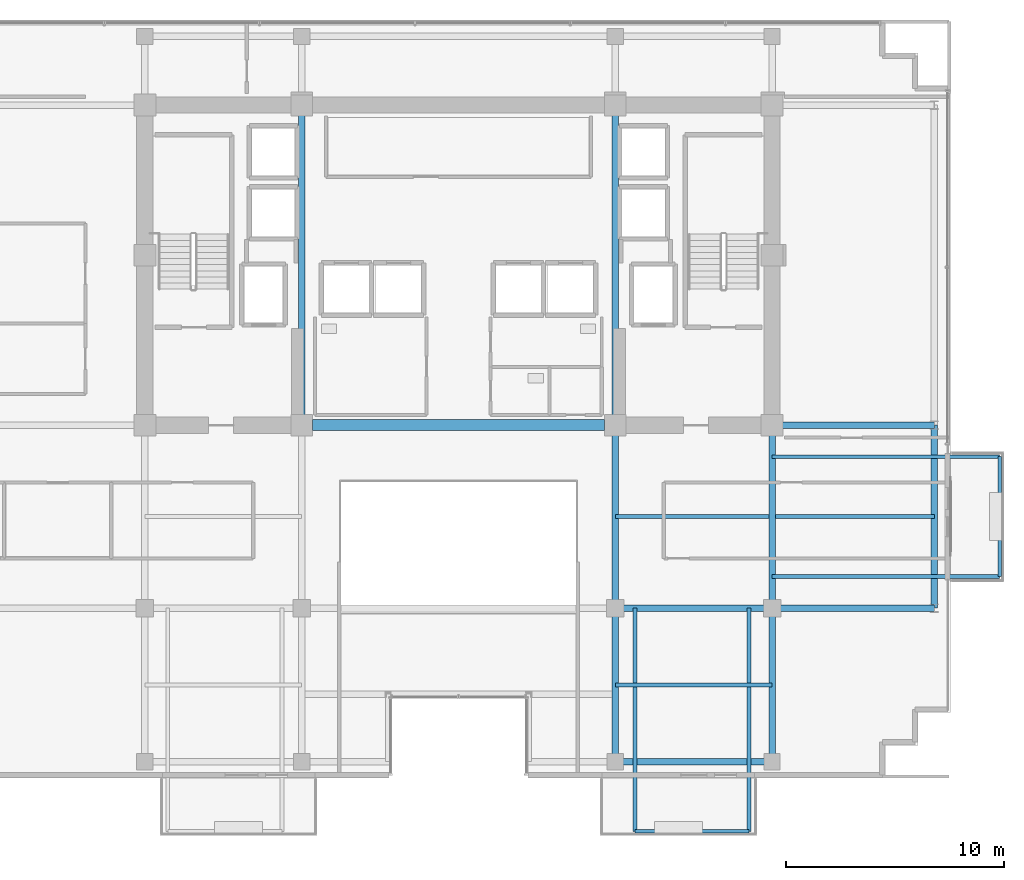
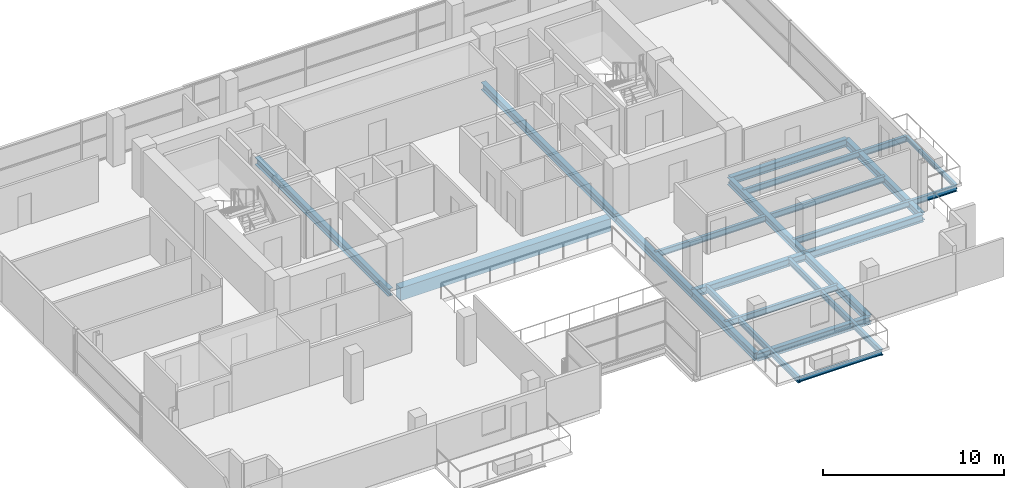
# One storey, part 11 of 25: 21 beams.
"""IFC4 building model written with IfcOpenShell, lengths in metres."""

from ifc_helpers import new_model, si_unit, direction, frame, origin, origin_2d, place, context, subcontext, project, spatial, rectangle, i_section, extrude, material, material_profile, profile_set, type_object, element, save


model = new_model("IFC4")

# Units and contexts
model_context = context("Model", 3, precision=1e-05, world=origin(), true_north=direction((0.0, 1.0)))
body_context = subcontext(model_context, "Body", "Model", "MODEL_VIEW")
ifc_project = project(units=[si_unit("LENGTHUNIT", "METRE"), si_unit("AREAUNIT", "SQUARE_METRE"), si_unit("VOLUMEUNIT", "CUBIC_METRE"), si_unit("PLANEANGLEUNIT", "RADIAN"), si_unit("MASSUNIT", "GRAM", prefix="KILO")], contexts=[model_context])

# Site, building, storey
site_placement = place(None, origin())
site = spatial("IfcSite", under=ifc_project, at=site_placement, CompositionType="ELEMENT")
building_placement = place(site_placement, origin())
building = spatial("IfcBuilding", under=site, at=building_placement, Name="Zarnakvel Exchange Tower", CompositionType="ELEMENT")
storey_placement = place(building_placement, frame((0.0, 0.0, 169.300048828125)))
storey = spatial("IfcBuildingStorey", under=building, at=storey_placement, Name="L47", CompositionType="ELEMENT", Elevation=169.300048828125)

# Beams
ifc_material_1 = material(Name="Steel S355", Category="steel")
ifc_material_profile_1 = material_profile(ifc_material_1, i_section(OverallWidth=0.179931640625, OverallDepth=0.39990234375, WebThickness=0.008544921875, FlangeThickness=0.013427734375, FilletRadius=0.02099609375, at=origin_2d()))
ifc_profile_set_1 = profile_set([ifc_material_profile_1], Name="Steel S355")
beam_type_1 = type_object("IfcBeamType", Name="B-06", PredefinedType="JOIST", material=ifc_profile_set_1)
beam_1_placement = place(storey_placement, frame((7.199951171875, -13.125, -0.425048828125), z_axis=(1.0, 0.0, 0.0), x_axis=(0.0, 1.0, 0.0)))
element("IfcBeam", 1, at=beam_1_placement, inside=storey, type_object=beam_type_1, Name="L47 Composite Floor Secondary Joist", PredefinedType="JOIST", context=body_context, shape_type="SweptSolid", body=[
    extrude(i_section(OverallWidth=0.179931640625, OverallDepth=0.39990234375, WebThickness=0.008544921875, FlangeThickness=0.013427734375, FilletRadius=0.02099609375, at=origin_2d()), origin(), (0.0, 0.0, 1.0), 7.199951171875),
])
beam_2_placement = place(storey_placement, frame((7.199951171875, -5.39990234375, -0.425048828125), z_axis=(1.0, 0.0, 0.0), x_axis=(0.0, 1.0, 0.0)))
element("IfcBeam", 2, at=beam_2_placement, inside=storey, type_object=beam_type_1, Name="L47 Composite Floor Secondary Joist", PredefinedType="JOIST", context=body_context, shape_type="SweptSolid", body=[
    extrude(i_section(OverallWidth=0.179931640625, OverallDepth=0.39990234375, WebThickness=0.008544921875, FlangeThickness=0.013427734375, FilletRadius=0.02099609375, at=origin_2d()), origin(), (0.0, 0.0, 1.0), 7.050048828125),
])
beam_3_placement = place(storey_placement, frame((14.550048828125, -5.39990234375, -0.425048828125), z_axis=(1.0, 0.0, 0.0), x_axis=(0.0, 1.0, 0.0)))
element("IfcBeam", 3, at=beam_3_placement, inside=storey, type_object=beam_type_1, Name="L47 Composite Floor Secondary Joist", PredefinedType="JOIST", context=body_context, shape_type="SweptSolid", body=[
    extrude(i_section(OverallWidth=0.179931640625, OverallDepth=0.39990234375, WebThickness=0.008544921875, FlangeThickness=0.013427734375, FilletRadius=0.02099609375, at=origin_2d()), origin(), (0.0, 0.0, 1.0), 7.300048828125),
])
for number, where, z_axis, x_axis, name in (
    (4, (8.10009765625, -9.60009765625, -0.425048828125), (0.0, -1.0, 0.0), (1.0, 0.0, 0.0), "L47 Continuous Back-Spanned Balcony Beam W"),
    (5, (13.35009765625, -9.60009765625, -0.425048828125), (0.0, -1.0, 0.0), (1.0, 0.0, 0.0), "L47 Continuous Back-Spanned Balcony Beam E"),
):
    element("IfcBeam", number, at=place(storey_placement, frame(where, z_axis=z_axis, x_axis=x_axis)), inside=storey, type_object=beam_type_1, Name=name, PredefinedType="JOIST", context=body_context, shape_type="SweptSolid", body=[
        extrude(i_section(OverallWidth=0.179931640625, OverallDepth=0.39990234375, WebThickness=0.008544921875, FlangeThickness=0.013427734375, FilletRadius=0.02099609375, at=origin_2d()), origin(), (0.0, 0.0, 1.0), 10.25),
    ])
for number, where, z_axis, x_axis, name in (
    (6, (14.39990234375, -8.14990234375, -0.425048828125), (1.0, 0.0, 0.0), (0.0, 1.0, 0.0), "L47 Continuous East Loggia Beam S"),
    (7, (14.39990234375, -2.64990234375, -0.425048828125), (1.0, 0.0, 0.0), (0.0, 1.0, 0.0), "L47 Continuous East Loggia Beam N"),
):
    element("IfcBeam", number, at=place(storey_placement, frame(where, z_axis=z_axis, x_axis=x_axis)), inside=storey, type_object=beam_type_1, Name=name, PredefinedType="JOIST", context=body_context, shape_type="SweptSolid", body=[
        extrude(i_section(OverallWidth=0.179931640625, OverallDepth=0.39990234375, WebThickness=0.008544921875, FlangeThickness=0.013427734375, FilletRadius=0.02099609375, at=origin_2d()), origin(), (0.0, 0.0, 1.0), 10.4501953125),
    ])
ifc_material_profile_2 = material_profile(ifc_material_1, i_section(OverallWidth=0.14990234375, OverallDepth=0.300048828125, WebThickness=0.007080078125, FlangeThickness=0.0107421875, FilletRadius=0.014892578125, at=origin_2d()))
ifc_profile_set_2 = profile_set([ifc_material_profile_2], Name="Steel S355")
beam_type_2 = type_object("IfcBeamType", Name="B-08", PredefinedType="JOIST", material=ifc_profile_set_2)
beam_4_placement = place(storey_placement, frame((8.10009765625, -19.85009765625, -0.375), z_axis=(1.0, 0.0, 0.0), x_axis=(0.0, 1.0, 0.0)))
element("IfcBeam", 8, at=beam_4_placement, inside=storey, type_object=beam_type_2, Name="L47 Balcony Edge Beam", PredefinedType="JOIST", context=body_context, shape_type="SweptSolid", body=[
    extrude(i_section(OverallWidth=0.14990234375, OverallDepth=0.300048828125, WebThickness=0.007080078125, FlangeThickness=0.0107421875, FilletRadius=0.014892578125, at=origin_2d()), origin(), (0.0, 0.0, 1.0), 5.25),
])
beam_5_placement = place(storey_placement, frame((24.85009765625, -8.14990234375, -0.375), z_axis=(0.0, 1.0, 0.0), x_axis=(-1.0, 0.0, 0.0)))
element("IfcBeam", 9, at=beam_5_placement, inside=storey, type_object=beam_type_2, Name="L47 East Loggia Edge Beam", PredefinedType="JOIST", context=body_context, shape_type="SweptSolid", body=[
    extrude(i_section(OverallWidth=0.14990234375, OverallDepth=0.300048828125, WebThickness=0.007080078125, FlangeThickness=0.0107421875, FilletRadius=0.014892578125, at=origin_2d()), origin(), (0.0, 0.0, 1.0), 5.5),
])
ifc_material_2 = material(Name="Concrete C60/75", Category="concrete")
ifc_material_profile_3 = material_profile(ifc_material_2, rectangle(XDim=0.5, YDim=0.85009765625, at=origin_2d()))
ifc_profile_set_3 = profile_set([ifc_material_profile_3], Name="Concrete C60/75")
beam_type_3 = type_object("IfcBeamType", Name="CB-02", PredefinedType="LINTEL", material=ifc_profile_set_3)
beam_6_placement = place(storey_placement, frame((-6.699951171875, -1.199951171875, -0.650146484375), z_axis=(1.0, 0.0, 0.0), x_axis=(0.0, 1.0, 0.0)))
element("IfcBeam", 10, at=beam_6_placement, inside=storey, type_object=beam_type_3, Name="L47 Rear Core South Coupling Beam (CB-02)", PredefinedType="LINTEL", context=body_context, shape_type="SweptSolid", body=[
    extrude(rectangle(XDim=0.5, YDim=0.85009765625, at=origin_2d()), origin(), (0.0, 0.0, 1.0), 13.39990234375),
])
ifc_material_profile_4 = material_profile(ifc_material_1, i_section(OverallWidth=0.300048828125, OverallDepth=0.5, WebThickness=0.014404296875, FlangeThickness=0.028076171875, FilletRadius=0.027099609375, at=origin_2d()))
ifc_profile_set_4 = profile_set([ifc_material_profile_4], Name="Steel S355")
beam_type_4 = type_object("IfcBeamType", Name="G-06", PredefinedType="BEAM", material=ifc_profile_set_4)
beam_7_placement = place(storey_placement, frame((7.199951171875, -9.60009765625, -0.47509765625), z_axis=(1.0, 0.0, 0.0), x_axis=(0.0, 1.0, 0.0)))
element("IfcBeam", 11, at=beam_7_placement, inside=storey, type_object=beam_type_4, Name="L47 Tower E-W Frame Beam", PredefinedType="BEAM", context=body_context, shape_type="SweptSolid", body=[
    extrude(i_section(OverallWidth=0.300048828125, OverallDepth=0.5, WebThickness=0.014404296875, FlangeThickness=0.028076171875, FilletRadius=0.027099609375, at=origin_2d()), origin(), (0.0, 0.0, 1.0), 7.199951171875),
])
for number, where, z_axis, x_axis, name in (
    (12, (14.39990234375, -9.60009765625, -0.47509765625), (1.0, 0.0, 0.0), (0.0, 1.0, 0.0), "L47 Tower E-W Frame Beam"),
    (13, (14.39990234375, -1.199951171875, -0.47509765625), (1.0, 0.0, 0.0), (0.0, 1.0, 0.0), "L47 Tower E-W Frame Beam"),
):
    element("IfcBeam", number, at=place(storey_placement, frame(where, z_axis=z_axis, x_axis=x_axis)), inside=storey, type_object=beam_type_4, Name=name, PredefinedType="BEAM", context=body_context, shape_type="SweptSolid", body=[
        extrude(i_section(OverallWidth=0.300048828125, OverallDepth=0.5, WebThickness=0.014404296875, FlangeThickness=0.028076171875, FilletRadius=0.027099609375, at=origin_2d()), origin(), (0.0, 0.0, 1.0), 7.4501953125),
    ])
beam_8_placement = place(storey_placement, frame((-7.199951171875, -1.199951171875, -0.47509765625), z_axis=(0.0, 1.0, 0.0), x_axis=(-1.0, 0.0, 0.0)))
element("IfcBeam", 14, at=beam_8_placement, inside=storey, type_object=beam_type_4, Name="L47 Tower N-S Frame Beam", PredefinedType="BEAM", context=body_context, shape_type="SweptSolid", body=[
    extrude(i_section(OverallWidth=0.300048828125, OverallDepth=0.5, WebThickness=0.014404296875, FlangeThickness=0.028076171875, FilletRadius=0.027099609375, at=origin_2d()), origin(), (0.0, 0.0, 1.0), 14.699951171875),
])
beam_9_placement = place(storey_placement, frame((7.199951171875, -16.64990234375, -0.47509765625), z_axis=(0.0, 1.0, 0.0), x_axis=(-1.0, 0.0, 0.0)))
element("IfcBeam", 15, at=beam_9_placement, inside=storey, type_object=beam_type_4, Name="L47 Tower N-S Frame Beam", PredefinedType="BEAM", context=body_context, shape_type="SweptSolid", body=[
    extrude(i_section(OverallWidth=0.300048828125, OverallDepth=0.5, WebThickness=0.014404296875, FlangeThickness=0.028076171875, FilletRadius=0.027099609375, at=origin_2d()), origin(), (0.0, 0.0, 1.0), 7.0498046875),
])
beam_10_placement = place(storey_placement, frame((7.199951171875, -9.60009765625, -0.47509765625), z_axis=(0.0, 1.0, 0.0), x_axis=(-1.0, 0.0, 0.0)))
element("IfcBeam", 16, at=beam_10_placement, inside=storey, type_object=beam_type_4, Name="L47 Tower N-S Frame Beam", PredefinedType="BEAM", context=body_context, shape_type="SweptSolid", body=[
    extrude(i_section(OverallWidth=0.300048828125, OverallDepth=0.5, WebThickness=0.014404296875, FlangeThickness=0.028076171875, FilletRadius=0.027099609375, at=origin_2d()), origin(), (0.0, 0.0, 1.0), 8.400146484375),
])
beam_11_placement = place(storey_placement, frame((7.199951171875, -1.199951171875, -0.47509765625), z_axis=(0.0, 1.0, 0.0), x_axis=(-1.0, 0.0, 0.0)))
element("IfcBeam", 17, at=beam_11_placement, inside=storey, type_object=beam_type_4, Name="L47 Tower N-S Frame Beam", PredefinedType="BEAM", context=body_context, shape_type="SweptSolid", body=[
    extrude(i_section(OverallWidth=0.300048828125, OverallDepth=0.5, WebThickness=0.014404296875, FlangeThickness=0.028076171875, FilletRadius=0.027099609375, at=origin_2d()), origin(), (0.0, 0.0, 1.0), 14.699951171875),
])
beam_12_placement = place(storey_placement, frame((14.39990234375, -16.64990234375, -0.47509765625), z_axis=(0.0, 1.0, 0.0), x_axis=(-1.0, 0.0, 0.0)))
element("IfcBeam", 18, at=beam_12_placement, inside=storey, type_object=beam_type_4, Name="L47 Tower N-S Frame Beam", PredefinedType="BEAM", context=body_context, shape_type="SweptSolid", body=[
    extrude(i_section(OverallWidth=0.300048828125, OverallDepth=0.5, WebThickness=0.014404296875, FlangeThickness=0.028076171875, FilletRadius=0.027099609375, at=origin_2d()), origin(), (0.0, 0.0, 1.0), 7.0498046875),
])
beam_13_placement = place(storey_placement, frame((14.39990234375, -9.60009765625, -0.47509765625), z_axis=(0.0, 1.0, 0.0), x_axis=(-1.0, 0.0, 0.0)))
element("IfcBeam", 19, at=beam_13_placement, inside=storey, type_object=beam_type_4, Name="L47 Tower N-S Frame Beam", PredefinedType="BEAM", context=body_context, shape_type="SweptSolid", body=[
    extrude(i_section(OverallWidth=0.300048828125, OverallDepth=0.5, WebThickness=0.014404296875, FlangeThickness=0.028076171875, FilletRadius=0.027099609375, at=origin_2d()), origin(), (0.0, 0.0, 1.0), 8.400146484375),
])
ifc_material_profile_5 = material_profile(ifc_material_1, i_section(OverallWidth=0.300048828125, OverallDepth=0.5, WebThickness=0.014404296875, FlangeThickness=0.028076171875, FilletRadius=0.027099609375, at=origin_2d()))
ifc_profile_set_5 = profile_set([ifc_material_profile_5], Name="Steel S355")
beam_type_5 = type_object("IfcBeamType", Name="SP-02", PredefinedType="SPANDREL", material=ifc_profile_set_5)
beam_14_placement = place(storey_placement, frame((7.199951171875, -16.64990234375, -0.47509765625), z_axis=(1.0, 0.0, 0.0), x_axis=(0.0, 1.0, 0.0)))
element("IfcBeam", 20, at=beam_14_placement, inside=storey, type_object=beam_type_5, Name="L47 Tower E-W Frame Beam", PredefinedType="SPANDREL", context=body_context, shape_type="SweptSolid", body=[
    extrude(i_section(OverallWidth=0.300048828125, OverallDepth=0.5, WebThickness=0.014404296875, FlangeThickness=0.028076171875, FilletRadius=0.027099609375, at=origin_2d()), origin(), (0.0, 0.0, 1.0), 7.199951171875),
])
beam_15_placement = place(storey_placement, frame((21.85009765625, -9.60009765625, -0.47509765625), z_axis=(0.0, 1.0, 0.0), x_axis=(-1.0, 0.0, 0.0)))
element("IfcBeam", 21, at=beam_15_placement, inside=storey, type_object=beam_type_5, Name="L47 Tower N-S Frame Beam", PredefinedType="SPANDREL", context=body_context, shape_type="SweptSolid", body=[
    extrude(i_section(OverallWidth=0.300048828125, OverallDepth=0.5, WebThickness=0.014404296875, FlangeThickness=0.028076171875, FilletRadius=0.027099609375, at=origin_2d()), origin(), (0.0, 0.0, 1.0), 8.400146484375),
])

save(model, "model.ifc")
